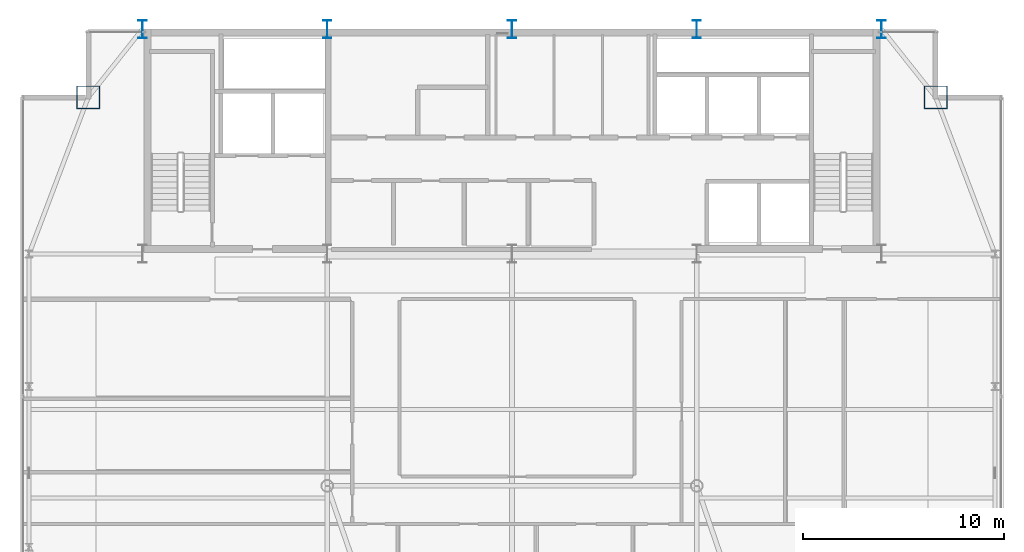
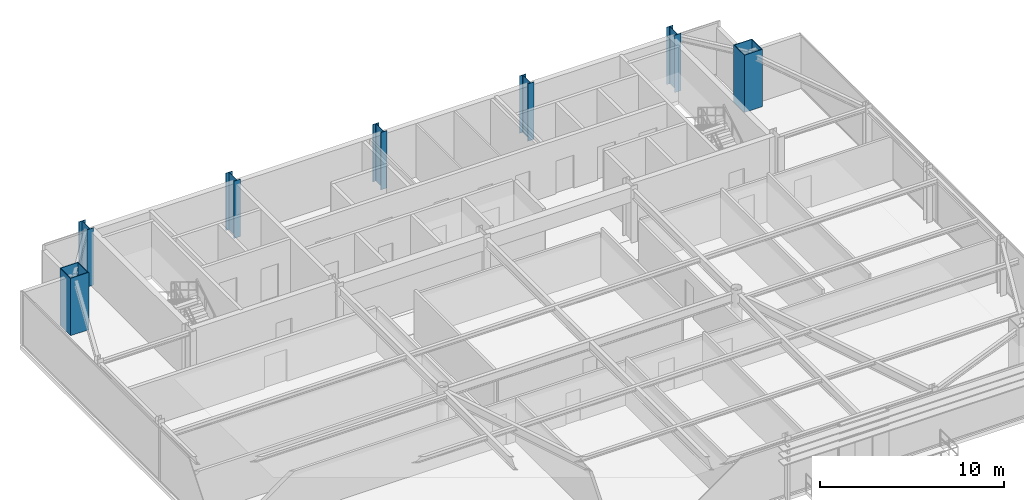
# One storey, part 3 of 30: 7 columns.
"""IFC4 building model written with IfcOpenShell, lengths in metres."""

from ifc_helpers import new_model, si_unit, direction, frame, origin, origin_2d, place, context, subcontext, project, spatial, hollow_rectangle, i_section, extrude, source, transform, mapped, material, material_profile, profile_set, type_object, type_shapes, element, save


model = new_model("IFC4")

# Units and contexts
model_context = context("Model", 3, precision=1e-05, world=origin(), true_north=direction((0.0, 1.0)))
body_context = subcontext(model_context, "Body", "Model", "MODEL_VIEW")
ifc_project = project(units=[si_unit("LENGTHUNIT", "METRE"), si_unit("AREAUNIT", "SQUARE_METRE"), si_unit("VOLUMEUNIT", "CUBIC_METRE"), si_unit("PLANEANGLEUNIT", "RADIAN"), si_unit("MASSUNIT", "GRAM", prefix="KILO")], contexts=[model_context])

# Site, building, storey
site_placement = place(None, origin())
site = spatial("IfcSite", under=ifc_project, at=site_placement, CompositionType="ELEMENT")
building_placement = place(site_placement, origin())
building = spatial("IfcBuilding", under=site, at=building_placement, Name="Varnel Quay Broadcast Tower", CompositionType="ELEMENT")
storey_placement = place(building_placement, frame((0.0, 0.0, 247.0)))
storey = spatial("IfcBuildingStorey", under=building, at=storey_placement, Name="L61", CompositionType="ELEMENT", Elevation=247.0)

# Columns
ifc_material = material(Name="Structural Steel CSA G40.21 350WT", Category="steel")
ifc_material_profile_1 = material_profile(ifc_material, i_section(OverallWidth=0.39990234375, OverallDepth=0.89990234375, WebThickness=0.01611328125, FlangeThickness=0.028076171875, FilletRadius=0.01611328125, at=origin_2d()), Name="WWF900X309")
ifc_profile_set_1 = profile_set([ifc_material_profile_1], Name="Structural Steel CSA G40.21 350WT")
column_type_1 = type_object("IfcColumnType", Name="Col_WWF900X309", PredefinedType="COLUMN", material=ifc_profile_set_1)
shared_shape_1 = source(origin(), body_context, "Body", "SweptSolid", [
    extrude(i_section(OverallWidth=0.39990234375, OverallDepth=0.89990234375, WebThickness=0.01611328125, FlangeThickness=0.028076171875, FilletRadius=0.01611328125, at=origin_2d()), origin(), (0.0, 0.0, 1.0), 3.800048828125),
])
type_shapes(column_type_1, [shared_shape_1])
for number, where, z_axis, x_axis, name in (
    (1, (15.60009765625, 46.800048828125, 0.0), (0.0, 0.0, 1.0), (1.0, 0.0, 0.0), "L61 Column CC-N1"),
    (2, (24.800048828125, 46.800048828125, 0.0), (0.0, 0.0, 1.0), (1.0, 0.0, 0.0), "L61 Column CC-N2"),
    (3, (34.0, 46.800048828125, 0.0), (0.0, 0.0, 1.0), (1.0, 0.0, 0.0), "L61 Column CC-N3"),
    (4, (43.199951171875, 46.800048828125, 0.0), (0.0, 0.0, 1.0), (1.0, 0.0, 0.0), "L61 Column CC-N4"),
    (5, (52.39990234375, 46.800048828125, 0.0), (0.0, 0.0, 1.0), (1.0, 0.0, 0.0), "L61 Column CC-N5"),
):
    element("IfcColumn", number, at=place(storey_placement, frame(where, z_axis=z_axis, x_axis=x_axis)), inside=storey, type_object=column_type_1, Name=name, PredefinedType="COLUMN", context=body_context, shape_type="MappedRepresentation", body=[
        mapped(shared_shape_1, transform((0.0, 0.0, 0.0), x_axis=(1.0, 0.0, 0.0), y_axis=(0.0, 1.0, 0.0), z_axis=(0.0, 0.0, 1.0), scale=1.0)),
    ])
ifc_material_profile_2 = material_profile(ifc_material, hollow_rectangle(XDim=1.14990234375, YDim=1.14990234375, WallThickness=0.044921875, at=origin_2d()), Name="BOX1150X1150X45")
ifc_profile_set_2 = profile_set([ifc_material_profile_2], Name="Structural Steel CSA G40.21 350WT")
column_type_2 = type_object("IfcColumnType", Name="Col_BOX1150X1150X45", PredefinedType="COLUMN", material=ifc_profile_set_2)
shared_shape_2 = source(origin(), body_context, "Body", "SweptSolid", [
    extrude(hollow_rectangle(XDim=1.14990234375, YDim=1.14990234375, WallThickness=0.044921875, at=origin_2d()), origin(), (0.0, 0.0, 1.0), 3.800048828125),
])
type_shapes(column_type_2, [shared_shape_2])
for number, where, z_axis, x_axis, name in (
    (6, (55.10009765625, 43.39990234375, 0.0), (0.0, 0.0, 1.0), (1.0, 0.0, 0.0), "L61 Column MC-NE"),
    (7, (12.89990234375, 43.39990234375, 0.0), (0.0, 0.0, 1.0), (1.0, 0.0, 0.0), "L61 Column MC-NW"),
):
    element("IfcColumn", number, at=place(storey_placement, frame(where, z_axis=z_axis, x_axis=x_axis)), inside=storey, type_object=column_type_2, Name=name, PredefinedType="COLUMN", context=body_context, shape_type="MappedRepresentation", body=[
        mapped(shared_shape_2, transform((0.0, 0.0, 0.0), x_axis=(1.0, 0.0, 0.0), y_axis=(0.0, 1.0, 0.0), z_axis=(0.0, 0.0, 1.0), scale=1.0)),
    ])

save(model, "model.ifc")
